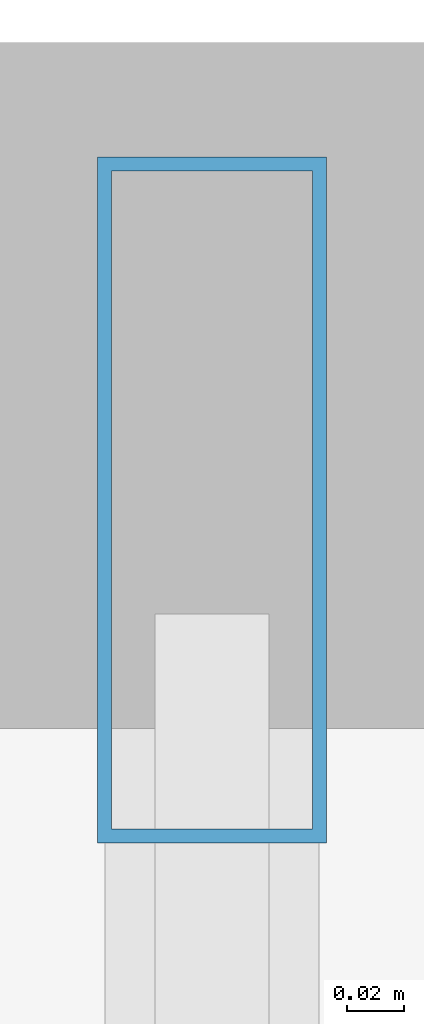
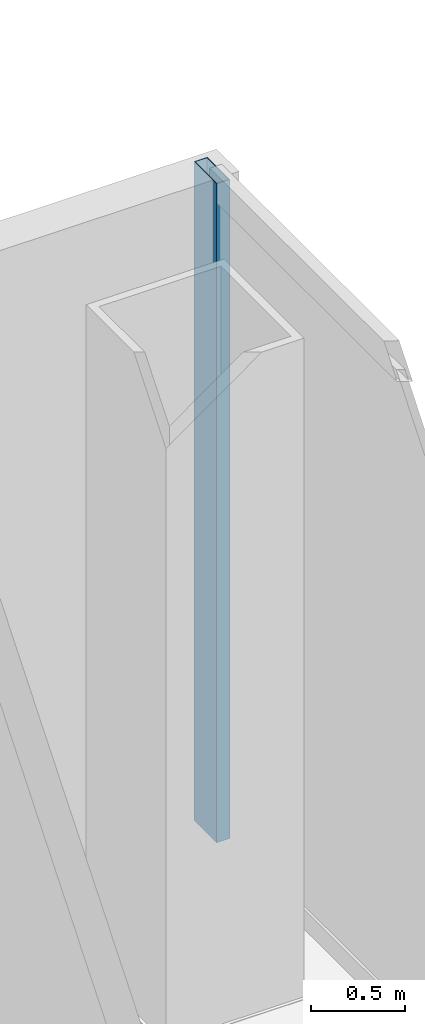
# One storey, part 12 of 20: 1 member, 1 element without a shape of its own.
"""IFC4 building model written with IfcOpenShell, lengths in metres."""

from ifc_helpers import new_model, si_unit, direction, frame, origin, origin_2d, place, context, subcontext, project, spatial, hollow_rectangle, extrude, material, material_profile, profile_set, type_object, element, aggregate, save


model = new_model("IFC4")

# Units and contexts
model_context = context("Model", 3, precision=1e-05, world=origin(), true_north=direction((0.0, 1.0)))
body_context = subcontext(model_context, "Body", "Model", "MODEL_VIEW")
ifc_project = project(units=[si_unit("LENGTHUNIT", "METRE"), si_unit("AREAUNIT", "SQUARE_METRE"), si_unit("VOLUMEUNIT", "CUBIC_METRE"), si_unit("PLANEANGLEUNIT", "RADIAN"), si_unit("MASSUNIT", "GRAM", prefix="KILO")], contexts=[model_context])

# Site, building, storey
site_placement = place(None, origin())
site = spatial("IfcSite", under=ifc_project, at=site_placement, CompositionType="ELEMENT")
building_placement = place(site_placement, origin())
building = spatial("IfcBuilding", under=site, at=building_placement, Name="Cobrela Telecom Tower", CompositionType="ELEMENT")
storey_placement = place(building_placement, frame((0.0, 0.0, 168.699951171875)))
storey = spatial("IfcBuildingStorey", under=building, at=storey_placement, Name="L42", CompositionType="ELEMENT", Elevation=168.699951171875)

# Curtain wall, member
ifc_material = material(Name="Anodized Bronze Aluminium 6063-T6", Category="aluminium")
curtain_wall_type = type_object("IfcCurtainWallType", Name="CW-SYS-SKY", PredefinedType="USERDEFINED", material=ifc_material)
curtain_wall_placement = place(storey_placement, origin())
curtain_wall = element("IfcCurtainWall", 1, at=curtain_wall_placement, inside=storey, type_object=curtain_wall_type, Name="L42 Unitised Bronze Curtain Wall 10", ObjectType="UNITISED CURTAIN WALL", PredefinedType="USERDEFINED")
ifc_material_profile = material_profile(ifc_material, hollow_rectangle(XDim=0.080078125, YDim=0.239990234375, WallThickness=0.0048828125, at=origin_2d()), Name="ALU 80x240x5")
ifc_profile_set = profile_set([ifc_material_profile], Name="Anodized Bronze Aluminium 6063-T6")
member_type = type_object("IfcMemberType", Name="CW-SYS-SKY-MUL", PredefinedType="MULLION", material=ifc_profile_set)
member_placement = place(storey_placement, frame((23.8798828125, 37.169921875, 0.0), z_axis=(0.0, 0.0, 1.0), x_axis=(1.0, 0.0, 0.0)))
member = element("IfcMember", 2, at=member_placement, type_object=member_type, Name="CW-SKY mullion 1", PredefinedType="MULLION", context=body_context, shape_type="SweptSolid", body=[
    extrude(hollow_rectangle(XDim=0.080078125, YDim=0.239990234375, WallThickness=0.0048828125, at=origin_2d()), origin(), (0.0, 0.0, 1.0), 4.2900390625),
])
aggregate(curtain_wall, [member])

save(model, "model.ifc")
